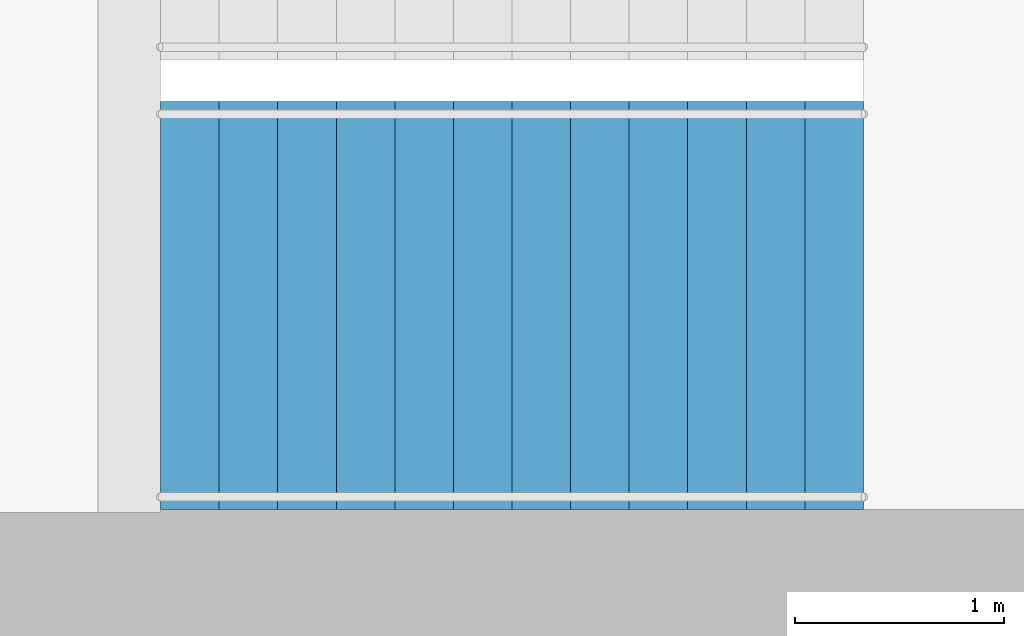
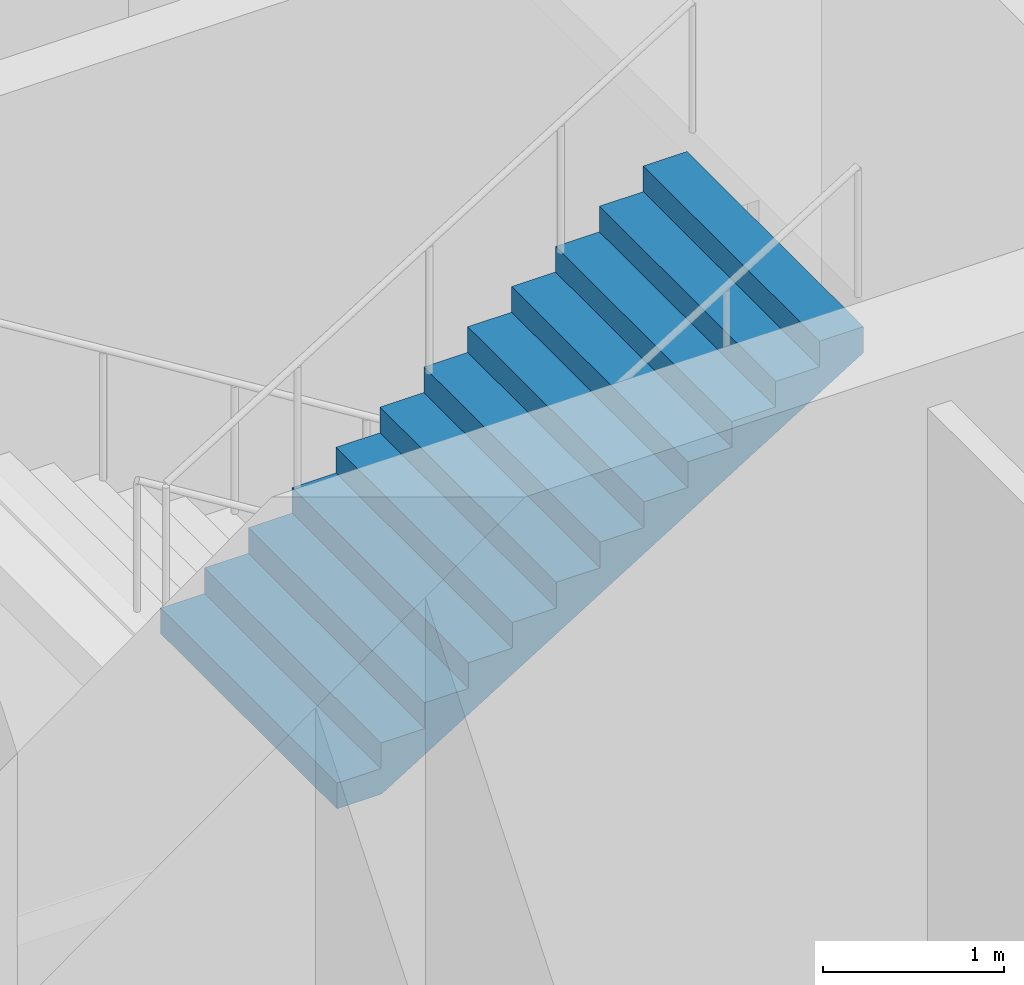
# One storey, part 19 of 21: 1 stair flight, 1 element without a shape of its own.
"""IFC4 building model written with IfcOpenShell, lengths in metres."""

from ifc_helpers import new_model, si_unit, direction, frame, origin, place, context, subcontext, project, spatial, triangles, material, type_object, element, aggregate, save


model = new_model("IFC4")

# Units and contexts
model_context = context("Model", 3, precision=1e-05, world=origin(), true_north=direction((0.0, 1.0)))
body_context = subcontext(model_context, "Body", "Model", "MODEL_VIEW")
ifc_project = project(units=[si_unit("LENGTHUNIT", "METRE"), si_unit("AREAUNIT", "SQUARE_METRE"), si_unit("VOLUMEUNIT", "CUBIC_METRE"), si_unit("PLANEANGLEUNIT", "RADIAN"), si_unit("MASSUNIT", "GRAM", prefix="KILO")], contexts=[model_context])

# Site, building, storey
site_placement = place(None, origin())
site = spatial("IfcSite", under=ifc_project, at=site_placement, CompositionType="ELEMENT")
building_placement = place(site_placement, origin())
building = spatial("IfcBuilding", under=site, at=building_placement, Name="Orbita Commons", CompositionType="ELEMENT")
storey_placement = place(building_placement, frame((0.0, 0.0, 257.800048828125)))
storey = spatial("IfcBuildingStorey", under=building, at=storey_placement, Name="L64", CompositionType="ELEMENT", Elevation=257.800048828125)

# Stair, stair flight
ifc_material_1 = material(Name="Precast concrete C40/50", Category="concrete")
stair_type = type_object("IfcStairType", Name="Exit stair S2 2 flights 13 risers 173", PredefinedType="HALF_TURN_STAIR", material=ifc_material_1)
stair_placement = place(storey_placement, origin())
stair = element("IfcStair", 1, at=stair_placement, inside=storey, type_object=stair_type, Name="Exit stair S2 L64", PredefinedType="HALF_TURN_STAIR")
ifc_material_2 = material(Name="Precast concrete C40/50", Category="concrete")
stair_flight_type = type_object("IfcStairFlightType", Name="Stair flight 13 risers 173 x 280", PredefinedType="STRAIGHT", material=ifc_material_2)
stair_flight_placement = place(storey_placement, frame((60.18994140625, 27.125, 2.25), z_axis=(0.0, 0.0, 1.0), x_axis=(1.0, 0.0, 0.0)))
stair_flight = element("IfcStairFlight", 2, at=stair_flight_placement, type_object=stair_flight_type, Name="S2 flight 2", NumberOfRisers=13, NumberOfTreads=12, PredefinedType="STRAIGHT", RiserHeight=0.173076923, TreadLength=0.28, context=body_context, shape_type="Tessellation", body=[
    triangles([(0.0, 0.974976, 0.0), (0.0, 0.974976, 0.021635), (0.0, 0.81248, 0.021635), (0.0, 0.81248, 0.0), (0.0, 0.649984, 0.021635), (0.0, 0.649984, 0.0), (0.0, 0.487488, 0.021635), (0.0, 0.487488, 0.0), (0.0, 0.324992, 0.021635), (0.0, 0.324992, 0.0), (0.0, 0.162496, 0.021635), (0.0, 0.162496, 0.0), (0.0, 0.0, 0.021635), (0.0, 0.0, 0.0), (0.0, -0.162496, 0.021635), (0.0, -0.162496, 0.0), (0.0, -0.324992, 0.021635), (0.0, -0.324992, 0.0), (0.0, -0.487488, 0.021635), (0.0, -0.487488, 0.0), (0.0, -0.649984, 0.021635), (0.0, -0.649984, 0.0), (0.0, -0.81248, 0.021635), (0.0, -0.81248, 0.0), (0.0, -0.974976, 0.021635), (0.0, -0.974976, 0.0), (0.0, 0.974976, 0.043269), (0.0, 0.81248, 0.043269), (0.0, 0.649984, 0.043269), (0.0, 0.487488, 0.043269), (0.0, 0.324992, 0.043269), (0.0, 0.162496, 0.043269), (0.0, 0.0, 0.043269), (0.0, -0.162496, 0.043269), (0.0, -0.324992, 0.043269), (0.0, -0.487488, 0.043269), (0.0, -0.649984, 0.043269), (0.0, -0.81248, 0.043269), (0.0, -0.974976, 0.043269), (0.0, 0.974976, 0.064904), (0.0, 0.81248, 0.064904), (0.0, 0.649984, 0.064904), (0.0, 0.487488, 0.064904), (0.0, 0.324992, 0.064904), (0.0, 0.162496, 0.064904), (0.0, 0.0, 0.064904), (0.0, -0.162496, 0.064904), (0.0, -0.324992, 0.064904), (0.0, -0.487488, 0.064904), (0.0, -0.649984, 0.064904), (0.0, -0.81248, 0.064904), (0.0, -0.974976, 0.064904), (0.0, 0.974976, 0.086538), (0.0, 0.81248, 0.086538), (0.0, 0.649984, 0.086538), (0.0, 0.487488, 0.086538), (0.0, 0.324992, 0.086538), (0.0, 0.162496, 0.086538), (0.0, 0.0, 0.086538), (0.0, -0.162496, 0.086538), (0.0, -0.324992, 0.086538), (0.0, -0.487488, 0.086538), (0.0, -0.649984, 0.086538), (0.0, -0.81248, 0.086538), (0.0, -0.974976, 0.086538), (0.0, 0.974976, 0.108173), (0.0, 0.81248, 0.108173), (0.0, 0.649984, 0.108173), (0.0, 0.487488, 0.108173), (0.0, 0.324992, 0.108173), (0.0, 0.162496, 0.108173), (0.0, 0.0, 0.108173), (0.0, -0.162496, 0.108173), (0.0, -0.324992, 0.108173), (0.0, -0.487488, 0.108173), (0.0, -0.649984, 0.108173), (0.0, -0.81248, 0.108173), (0.0, -0.974976, 0.108173), (0.0, 0.974976, 0.129808), (0.0, 0.81248, 0.129808), (0.0, 0.649984, 0.129808), (0.0, 0.487488, 0.129808), (0.0, 0.324992, 0.129808), (0.0, 0.162496, 0.129808), (0.0, 0.0, 0.129808), (0.0, -0.162496, 0.129808), (0.0, -0.324992, 0.129808), (0.0, -0.487488, 0.129808), (0.0, -0.649984, 0.129808), (0.0, -0.81248, 0.129808), (0.0, -0.974976, 0.129808), (0.0, 0.974976, 0.151442), (0.0, 0.81248, 0.151442), (0.0, 0.649984, 0.151442), (0.0, 0.487488, 0.151442), (0.0, 0.324992, 0.151442), (0.0, 0.162496, 0.151442), (0.0, 0.0, 0.151442), (0.0, -0.162496, 0.151442), (0.0, -0.324992, 0.151442), (0.0, -0.487488, 0.151442), (0.0, -0.649984, 0.151442), (0.0, -0.81248, 0.151442), (0.0, -0.974976, 0.151442), (0.0, 0.974976, 0.173077), (0.0, 0.81248, 0.173077), (0.0, 0.649984, 0.173077), (0.0, 0.487488, 0.173077), (0.0, 0.324992, 0.173077), (0.0, 0.162496, 0.173077), (0.0, 0.0, 0.173077), (0.0, -0.162496, 0.173077), (0.0, -0.324992, 0.173077), (0.0, -0.487488, 0.173077), (0.0, -0.649984, 0.173077), (0.0, -0.81248, 0.173077), (0.0, -0.974976, 0.173077), (0.28, 0.974976, 0.173077), (0.28, 0.81248, 0.173077), (0.28, 0.649984, 0.173077), (0.28, 0.487488, 0.173077), (0.28, 0.324992, 0.173077), (0.28, 0.162496, 0.173077), (0.28, 0.0, 0.173077), (0.28, -0.162496, 0.173077), (0.28, -0.324992, 0.173077), (0.28, -0.487488, 0.173077), (0.28, -0.649984, 0.173077), (0.28, -0.81248, 0.173077), (0.28, -0.974976, 0.173077), (0.28, 0.974976, 0.346154), (0.28, 0.81248, 0.346154), (0.28, 0.649984, 0.346154), (0.28, 0.487488, 0.346154), (0.28, 0.324992, 0.346154), (0.28, 0.162496, 0.346154), (0.28, 0.0, 0.346154), (0.28, -0.162496, 0.346154), (0.28, -0.324992, 0.346154), (0.28, -0.487488, 0.346154), (0.28, -0.649984, 0.346154), (0.28, -0.81248, 0.346154), (0.28, -0.974976, 0.346154), (0.56, 0.974976, 0.346154), (0.56, 0.81248, 0.346154), (0.56, 0.649984, 0.346154), (0.56, 0.487488, 0.346154), (0.56, 0.324992, 0.346154), (0.56, 0.162496, 0.346154), (0.56, 0.0, 0.346154), (0.56, -0.162496, 0.346154), (0.56, -0.324992, 0.346154), (0.56, -0.487488, 0.346154), (0.56, -0.649984, 0.346154), (0.56, -0.81248, 0.346154), (0.56, -0.974976, 0.346154), (0.56, 0.974976, 0.519231), (0.56, 0.81248, 0.519231), (0.56, 0.649984, 0.519231), (0.56, 0.487488, 0.519231), (0.56, 0.324992, 0.519231), (0.56, 0.162496, 0.519231), (0.56, 0.0, 0.519231), (0.56, -0.162496, 0.519231), (0.56, -0.324992, 0.519231), (0.56, -0.487488, 0.519231), (0.56, -0.649984, 0.519231), (0.56, -0.81248, 0.519231), (0.56, -0.974976, 0.519231), (0.84, 0.974976, 0.519231), (0.84, 0.81248, 0.519231), (0.84, 0.649984, 0.519231), (0.84, 0.487488, 0.519231), (0.84, 0.324992, 0.519231), (0.84, 0.162496, 0.519231), (0.84, 0.0, 0.519231), (0.84, -0.162496, 0.519231), (0.84, -0.324992, 0.519231), (0.84, -0.487488, 0.519231), (0.84, -0.649984, 0.519231), (0.84, -0.81248, 0.519231), (0.84, -0.974976, 0.519231), (0.84, 0.974976, 0.692308), (0.84, 0.81248, 0.692308), (0.84, 0.649984, 0.692308), (0.84, 0.487488, 0.692308), (0.84, 0.324992, 0.692308), (0.84, 0.162496, 0.692308), (0.84, 0.0, 0.692308), (0.84, -0.162496, 0.692308), (0.84, -0.324992, 0.692308), (0.84, -0.487488, 0.692308), (0.84, -0.649984, 0.692308), (0.84, -0.81248, 0.692308), (0.84, -0.974976, 0.692308), (1.12, 0.974976, 0.692308), (1.12, 0.81248, 0.692308), (1.12, 0.649984, 0.692308), (1.12, 0.487488, 0.692308), (1.12, 0.324992, 0.692308), (1.12, 0.162496, 0.692308), (1.12, 0.0, 0.692308), (1.12, -0.162496, 0.692308), (1.12, -0.324992, 0.692308), (1.12, -0.487488, 0.692308), (1.12, -0.649984, 0.692308), (1.12, -0.81248, 0.692308), (1.12, -0.974976, 0.692308), (1.12, 0.974976, 0.865385), (1.12, 0.81248, 0.865385), (1.12, 0.649984, 0.865385), (1.12, 0.487488, 0.865385), (1.12, 0.324992, 0.865385), (1.12, 0.162496, 0.865385), (1.12, 0.0, 0.865385), (1.12, -0.162496, 0.865385), (1.12, -0.324992, 0.865385), (1.12, -0.487488, 0.865385), (1.12, -0.649984, 0.865385), (1.12, -0.81248, 0.865385), (1.12, -0.974976, 0.865385), (1.4, 0.974976, 0.865385), (1.4, 0.81248, 0.865385), (1.4, 0.649984, 0.865385), (1.4, 0.487488, 0.865385), (1.4, 0.324992, 0.865385), (1.4, 0.162496, 0.865385), (1.4, 0.0, 0.865385), (1.4, -0.162496, 0.865385), (1.4, -0.324992, 0.865385), (1.4, -0.487488, 0.865385), (1.4, -0.649984, 0.865385), (1.4, -0.81248, 0.865385), (1.4, -0.974976, 0.865385), (1.4, 0.974976, 1.038462), (1.4, 0.81248, 1.038462), (1.4, 0.649984, 1.038462), (1.4, 0.487488, 1.038462), (1.4, 0.324992, 1.038462), (1.4, 0.162496, 1.038462), (1.4, 0.0, 1.038462), (1.4, -0.162496, 1.038462), (1.4, -0.324992, 1.038462), (1.4, -0.487488, 1.038462), (1.4, -0.649984, 1.038462), (1.4, -0.81248, 1.038462), (1.4, -0.974976, 1.038462), (1.68, 0.974976, 1.038462), (1.68, 0.81248, 1.038462), (1.68, 0.649984, 1.038462), (1.68, 0.487488, 1.038462), (1.68, 0.324992, 1.038462), (1.68, 0.162496, 1.038462), (1.68, 0.0, 1.038462), (1.68, -0.162496, 1.038462), (1.68, -0.324992, 1.038462), (1.68, -0.487488, 1.038462), (1.68, -0.649984, 1.038462), (1.68, -0.81248, 1.038462), (1.68, -0.974976, 1.038462), (1.68, 0.974976, 1.211538), (1.68, 0.81248, 1.211538), (1.68, 0.649984, 1.211538), (1.68, 0.487488, 1.211538), (1.68, 0.324992, 1.211538), (1.68, 0.162496, 1.211538), (1.68, 0.0, 1.211538), (1.68, -0.162496, 1.211538), (1.68, -0.324992, 1.211538), (1.68, -0.487488, 1.211538), (1.68, -0.649984, 1.211538), (1.68, -0.81248, 1.211538), (1.68, -0.974976, 1.211538), (1.96, 0.974976, 1.211538), (1.96, 0.81248, 1.211538), (1.96, 0.649984, 1.211538), (1.96, 0.487488, 1.211538), (1.96, 0.324992, 1.211538), (1.96, 0.162496, 1.211538), (1.96, 0.0, 1.211538), (1.96, -0.162496, 1.211538), (1.96, -0.324992, 1.211538), (1.96, -0.487488, 1.211538), (1.96, -0.649984, 1.211538), (1.96, -0.81248, 1.211538), (1.96, -0.974976, 1.211538), (1.96, 0.974976, 1.384615), (1.96, 0.81248, 1.384615), (1.96, 0.649984, 1.384615), (1.96, 0.487488, 1.384615), (1.96, 0.324992, 1.384615), (1.96, 0.162496, 1.384615), (1.96, 0.0, 1.384615), (1.96, -0.162496, 1.384615), (1.96, -0.324992, 1.384615), (1.96, -0.487488, 1.384615), (1.96, -0.649984, 1.384615), (1.96, -0.81248, 1.384615), (1.96, -0.974976, 1.384615), (2.24, 0.974976, 1.384615), (2.24, 0.81248, 1.384615), (2.24, 0.649984, 1.384615), (2.24, 0.487488, 1.384615), (2.24, 0.324992, 1.384615), (2.24, 0.162496, 1.384615), (2.24, 0.0, 1.384615), (2.24, -0.162496, 1.384615), (2.24, -0.324992, 1.384615), (2.24, -0.487488, 1.384615), (2.24, -0.649984, 1.384615), (2.24, -0.81248, 1.384615), (2.24, -0.974976, 1.384615), (2.24, 0.974976, 1.557692), (2.24, 0.81248, 1.557692), (2.24, 0.649984, 1.557692), (2.24, 0.487488, 1.557692), (2.24, 0.324992, 1.557692), (2.24, 0.162496, 1.557692), (2.24, 0.0, 1.557692), (2.24, -0.162496, 1.557692), (2.24, -0.324992, 1.557692), (2.24, -0.487488, 1.557692), (2.24, -0.649984, 1.557692), (2.24, -0.81248, 1.557692), (2.24, -0.974976, 1.557692), (2.52, 0.974976, 1.557692), (2.52, 0.81248, 1.557692), (2.52, 0.649984, 1.557692), (2.52, 0.487488, 1.557692), (2.52, 0.324992, 1.557692), (2.52, 0.162496, 1.557692), (2.52, 0.0, 1.557692), (2.52, -0.162496, 1.557692), (2.52, -0.324992, 1.557692), (2.52, -0.487488, 1.557692), (2.52, -0.649984, 1.557692), (2.52, -0.81248, 1.557692), (2.52, -0.974976, 1.557692), (2.52, 0.974976, 1.730769), (2.52, 0.81248, 1.730769), (2.52, 0.649984, 1.730769), (2.52, 0.487488, 1.730769), (2.52, 0.324992, 1.730769), (2.52, 0.162496, 1.730769), (2.52, 0.0, 1.730769), (2.52, -0.162496, 1.730769), (2.52, -0.324992, 1.730769), (2.52, -0.487488, 1.730769), (2.52, -0.649984, 1.730769), (2.52, -0.81248, 1.730769), (2.52, -0.974976, 1.730769), (2.8, 0.974976, 1.730769), (2.8, 0.81248, 1.730769), (2.8, 0.649984, 1.730769), (2.8, 0.487488, 1.730769), (2.8, 0.324992, 1.730769), (2.8, 0.162496, 1.730769), (2.8, 0.0, 1.730769), (2.8, -0.162496, 1.730769), (2.8, -0.324992, 1.730769), (2.8, -0.487488, 1.730769), (2.8, -0.649984, 1.730769), (2.8, -0.81248, 1.730769), (2.8, -0.974976, 1.730769), (2.8, 0.974976, 1.903846), (2.8, 0.81248, 1.903846), (2.8, 0.649984, 1.903846), (2.8, 0.487488, 1.903846), (2.8, 0.324992, 1.903846), (2.8, 0.162496, 1.903846), (2.8, 0.0, 1.903846), (2.8, -0.162496, 1.903846), (2.8, -0.324992, 1.903846), (2.8, -0.487488, 1.903846), (2.8, -0.649984, 1.903846), (2.8, -0.81248, 1.903846), (2.8, -0.974976, 1.903846), (3.08, 0.974976, 1.903846), (3.08, 0.81248, 1.903846), (3.08, 0.649984, 1.903846), (3.08, 0.487488, 1.903846), (3.08, 0.324992, 1.903846), (3.08, 0.162496, 1.903846), (3.08, 0.0, 1.903846), (3.08, -0.162496, 1.903846), (3.08, -0.324992, 1.903846), (3.08, -0.487488, 1.903846), (3.08, -0.649984, 1.903846), (3.08, -0.81248, 1.903846), (3.08, -0.974976, 1.903846), (3.08, 0.974976, 2.076923), (3.08, 0.81248, 2.076923), (3.08, 0.649984, 2.076923), (3.08, 0.487488, 2.076923), (3.08, 0.324992, 2.076923), (3.08, 0.162496, 2.076923), (3.08, 0.0, 2.076923), (3.08, -0.162496, 2.076923), (3.08, -0.324992, 2.076923), (3.08, -0.487488, 2.076923), (3.08, -0.649984, 2.076923), (3.08, -0.81248, 2.076923), (3.08, -0.974976, 2.076923), (3.36, 0.974976, 2.076923), (3.36, 0.81248, 2.076923), (3.36, 0.649984, 2.076923), (3.36, 0.487488, 2.076923), (3.36, 0.324992, 2.076923), (3.36, 0.162496, 2.076923), (3.36, 0.0, 2.076923), (3.36, -0.162496, 2.076923), (3.36, -0.324992, 2.076923), (3.36, -0.487488, 2.076923), (3.36, -0.649984, 2.076923), (3.36, -0.81248, 2.076923), (3.36, -0.974976, 2.076923), (3.36, 0.974976, 2.054895), (3.36, 0.81248, 2.054895), (3.36, 0.649984, 2.054895), (3.36, 0.487488, 2.054895), (3.36, 0.324992, 2.054895), (3.36, 0.162496, 2.054895), (3.36, 0.0, 2.054895), (3.36, -0.162496, 2.054895), (3.36, -0.324992, 2.054895), (3.36, -0.487488, 2.054895), (3.36, -0.649984, 2.054895), (3.36, -0.81248, 2.054895), (3.36, -0.974976, 2.054895), (3.36, 0.974976, 2.032866), (3.36, 0.81248, 2.032866), (3.36, 0.649984, 2.032866), (3.36, 0.487488, 2.032866), (3.36, 0.324992, 2.032866), (3.36, 0.162496, 2.032866), (3.36, 0.0, 2.032866), (3.36, -0.162496, 2.032866), (3.36, -0.324992, 2.032866), (3.36, -0.487488, 2.032866), (3.36, -0.649984, 2.032866), (3.36, -0.81248, 2.032866), (3.36, -0.974976, 2.032866), (3.36, 0.974976, 2.010837), (3.36, 0.81248, 2.010837), (3.36, 0.649984, 2.010837), (3.36, 0.487488, 2.010837), (3.36, 0.324992, 2.010837), (3.36, 0.162496, 2.010837), (3.36, 0.0, 2.010837), (3.36, -0.162496, 2.010837), (3.36, -0.324992, 2.010837), (3.36, -0.487488, 2.010837), (3.36, -0.649984, 2.010837), (3.36, -0.81248, 2.010837), (3.36, -0.974976, 2.010837), (3.36, 0.974976, 1.988809), (3.36, 0.81248, 1.988809), (3.36, 0.649984, 1.988809), (3.36, 0.487488, 1.988809), (3.36, 0.324992, 1.988809), (3.36, 0.162496, 1.988809), (3.36, 0.0, 1.988809), (3.36, -0.162496, 1.988809), (3.36, -0.324992, 1.988809), (3.36, -0.487488, 1.988809), (3.36, -0.649984, 1.988809), (3.36, -0.81248, 1.988809), (3.36, -0.974976, 1.988809), (3.36, 0.974976, 1.96678), (3.36, 0.81248, 1.96678), (3.36, 0.649984, 1.96678), (3.36, 0.487488, 1.96678), (3.36, 0.324992, 1.96678), (3.36, 0.162496, 1.96678), (3.36, 0.0, 1.96678), (3.36, -0.162496, 1.96678), (3.36, -0.324992, 1.96678), (3.36, -0.487488, 1.96678), (3.36, -0.649984, 1.96678), (3.36, -0.81248, 1.96678), (3.36, -0.974976, 1.96678), (3.36, 0.974976, 1.944752), (3.36, 0.81248, 1.944752), (3.36, 0.649984, 1.944752), (3.36, 0.487488, 1.944752), (3.36, 0.324992, 1.944752), (3.36, 0.162496, 1.944752), (3.36, 0.0, 1.944752), (3.36, -0.162496, 1.944752), (3.36, -0.324992, 1.944752), (3.36, -0.487488, 1.944752), (3.36, -0.649984, 1.944752), (3.36, -0.81248, 1.944752), (3.36, -0.974976, 1.944752), (3.36, 0.974976, 1.922723), (3.36, 0.81248, 1.922723), (3.36, 0.649984, 1.922723), (3.36, 0.487488, 1.922723), (3.36, 0.324992, 1.922723), (3.36, 0.162496, 1.922723), (3.36, 0.0, 1.922723), (3.36, -0.162496, 1.922723), (3.36, -0.324992, 1.922723), (3.36, -0.487488, 1.922723), (3.36, -0.649984, 1.922723), (3.36, -0.81248, 1.922723), (3.36, -0.974976, 1.922723), (3.36, 0.974976, 1.900695), (3.36, 0.81248, 1.900695), (3.36, 0.649984, 1.900695), (3.36, 0.487488, 1.900695), (3.36, 0.324992, 1.900695), (3.36, 0.162496, 1.900695), (3.36, 0.0, 1.900695), (3.36, -0.162496, 1.900695), (3.36, -0.324992, 1.900695), (3.36, -0.487488, 1.900695), (3.36, -0.649984, 1.900695), (3.36, -0.81248, 1.900695), (3.36, -0.974976, 1.900695), (0.285099, 0.974976, 0.0), (0.285099, 0.81248, 0.0), (0.285099, 0.649984, 0.0), (0.285099, 0.487488, 0.0), (0.285099, 0.324992, 0.0), (0.285099, 0.162496, 0.0), (0.285099, 0.0, 0.0), (0.285099, -0.162496, 0.0), (0.285099, -0.324992, 0.0), (0.285099, -0.487488, 0.0), (0.285099, -0.649984, 0.0), (0.285099, -0.81248, 0.0), (0.285099, -0.974976, 0.0)], [[3, 2, 1], [4, 3, 1], [5, 3, 4], [6, 5, 4], [7, 5, 6], [8, 7, 6], [9, 7, 8], [10, 9, 8], [11, 9, 10], [12, 11, 10], [13, 11, 12], [14, 13, 12], [15, 13, 14], [16, 15, 14], [17, 15, 16], [18, 17, 16], [19, 17, 18], [20, 19, 18], [21, 19, 20], [22, 21, 20], [23, 21, 22], [24, 23, 22], [25, 23, 24], [26, 25, 24], [28, 27, 2], [3, 28, 2], [29, 28, 3], [5, 29, 3], [30, 29, 5], [7, 30, 5], [31, 30, 7], [9, 31, 7], [32, 31, 9], [11, 32, 9], [33, 32, 11], [13, 33, 11], [34, 33, 13], [15, 34, 13], [35, 34, 15], [17, 35, 15], [36, 35, 17], [19, 36, 17], [37, 36, 19], [21, 37, 19], [38, 37, 21], [23, 38, 21], [39, 38, 23], [25, 39, 23], [41, 40, 27], [28, 41, 27], [42, 41, 28], [29, 42, 28], [43, 42, 29], [30, 43, 29], [44, 43, 30], [31, 44, 30], [45, 44, 31], [32, 45, 31], [46, 45, 32], [33, 46, 32], [47, 46, 33], [34, 47, 33], [48, 47, 34], [35, 48, 34], [49, 48, 35], [36, 49, 35], [50, 49, 36], [37, 50, 36], [51, 50, 37], [38, 51, 37], [52, 51, 38], [39, 52, 38], [54, 53, 40], [41, 54, 40], [55, 54, 41], [42, 55, 41], [56, 55, 42], [43, 56, 42], [57, 56, 43], [44, 57, 43], [58, 57, 44], [45, 58, 44], [59, 58, 45], [46, 59, 45], [60, 59, 46], [47, 60, 46], [61, 60, 47], [48, 61, 47], [62, 61, 48], [49, 62, 48], [63, 62, 49], [50, 63, 49], [64, 63, 50], [51, 64, 50], [65, 64, 51], [52, 65, 51], [67, 66, 53], [54, 67, 53], [68, 67, 54], [55, 68, 54], [69, 68, 55], [56, 69, 55], [70, 69, 56], [57, 70, 56], [71, 70, 57], [58, 71, 57], [72, 71, 58], [59, 72, 58], [73, 72, 59], [60, 73, 59], [74, 73, 60], [61, 74, 60], [75, 74, 61], [62, 75, 61], [76, 75, 62], [63, 76, 62], [77, 76, 63], [64, 77, 63], [78, 77, 64], [65, 78, 64], [80, 79, 66], [67, 80, 66], [81, 80, 67], [68, 81, 67], [82, 81, 68], [69, 82, 68], [83, 82, 69], [70, 83, 69], [84, 83, 70], [71, 84, 70], [85, 84, 71], [72, 85, 71], [86, 85, 72], [73, 86, 72], [87, 86, 73], [74, 87, 73], [88, 87, 74], [75, 88, 74], [89, 88, 75], [76, 89, 75], [90, 89, 76], [77, 90, 76], [91, 90, 77], [78, 91, 77], [93, 92, 79], [80, 93, 79], [94, 93, 80], [81, 94, 80], [95, 94, 81], [82, 95, 81], [96, 95, 82], [83, 96, 82], [97, 96, 83], [84, 97, 83], [98, 97, 84], [85, 98, 84], [99, 98, 85], [86, 99, 85], [100, 99, 86], [87, 100, 86], [101, 100, 87], [88, 101, 87], [102, 101, 88], [89, 102, 88], [103, 102, 89], [90, 103, 89], [104, 103, 90], [91, 104, 90], [106, 105, 92], [93, 106, 92], [107, 106, 93], [94, 107, 93], [108, 107, 94], [95, 108, 94], [109, 108, 95], [96, 109, 95], [110, 109, 96], [97, 110, 96], [111, 110, 97], [98, 111, 97], [112, 111, 98], [99, 112, 98], [113, 112, 99], [100, 113, 99], [114, 113, 100], [101, 114, 100], [115, 114, 101], [102, 115, 101], [116, 115, 102], [103, 116, 102], [117, 116, 103], [104, 117, 103], [119, 118, 105], [106, 119, 105], [120, 119, 106], [107, 120, 106], [121, 120, 107], [108, 121, 107], [122, 121, 108], [109, 122, 108], [123, 122, 109], [110, 123, 109], [124, 123, 110], [111, 124, 110], [125, 124, 111], [112, 125, 111], [126, 125, 112], [113, 126, 112], [127, 126, 113], [114, 127, 113], [128, 127, 114], [115, 128, 114], [129, 128, 115], [116, 129, 115], [130, 129, 116], [117, 130, 116], [132, 131, 118], [119, 132, 118], [133, 132, 119], [120, 133, 119], [134, 133, 120], [121, 134, 120], [135, 134, 121], [122, 135, 121], [136, 135, 122], [123, 136, 122], [137, 136, 123], [124, 137, 123], [138, 137, 124], [125, 138, 124], [139, 138, 125], [126, 139, 125], [140, 139, 126], [127, 140, 126], [141, 140, 127], [128, 141, 127], [142, 141, 128], [129, 142, 128], [143, 142, 129], [130, 143, 129], [145, 144, 131], [132, 145, 131], [146, 145, 132], [133, 146, 132], [147, 146, 133], [134, 147, 133], [148, 147, 134], [135, 148, 134], [149, 148, 135], [136, 149, 135], [150, 149, 136], [137, 150, 136], [151, 150, 137], [138, 151, 137], [152, 151, 138], [139, 152, 138], [153, 152, 139], [140, 153, 139], [154, 153, 140], [141, 154, 140], [155, 154, 141], [142, 155, 141], [156, 155, 142], [143, 156, 142], [158, 157, 144], [145, 158, 144], [159, 158, 145], [146, 159, 145], [160, 159, 146], [147, 160, 146], [161, 160, 147], [148, 161, 147], [162, 161, 148], [149, 162, 148], [163, 162, 149], [150, 163, 149], [164, 163, 150], [151, 164, 150], [165, 164, 151], [152, 165, 151], [166, 165, 152], [153, 166, 152], [167, 166, 153], [154, 167, 153], [168, 167, 154], [155, 168, 154], [169, 168, 155], [156, 169, 155], [171, 170, 157], [158, 171, 157], [172, 171, 158], [159, 172, 158], [173, 172, 159], [160, 173, 159], [174, 173, 160], [161, 174, 160], [175, 174, 161], [162, 175, 161], [176, 175, 162], [163, 176, 162], [177, 176, 163], [164, 177, 163], [178, 177, 164], [165, 178, 164], [179, 178, 165], [166, 179, 165], [180, 179, 166], [167, 180, 166], [181, 180, 167], [168, 181, 167], [182, 181, 168], [169, 182, 168], [184, 183, 170], [171, 184, 170], [185, 184, 171], [172, 185, 171], [186, 185, 172], [173, 186, 172], [187, 186, 173], [174, 187, 173], [188, 187, 174], [175, 188, 174], [189, 188, 175], [176, 189, 175], [190, 189, 176], [177, 190, 176], [191, 190, 177], [178, 191, 177], [192, 191, 178], [179, 192, 178], [193, 192, 179], [180, 193, 179], [194, 193, 180], [181, 194, 180], [195, 194, 181], [182, 195, 181], [197, 196, 183], [184, 197, 183], [198, 197, 184], [185, 198, 184], [199, 198, 185], [186, 199, 185], [200, 199, 186], [187, 200, 186], [201, 200, 187], [188, 201, 187], [202, 201, 188], [189, 202, 188], [203, 202, 189], [190, 203, 189], [204, 203, 190], [191, 204, 190], [205, 204, 191], [192, 205, 191], [206, 205, 192], [193, 206, 192], [207, 206, 193], [194, 207, 193], [208, 207, 194], [195, 208, 194], [210, 209, 196], [197, 210, 196], [211, 210, 197], [198, 211, 197], [212, 211, 198], [199, 212, 198], [213, 212, 199], [200, 213, 199], [214, 213, 200], [201, 214, 200], [215, 214, 201], [202, 215, 201], [216, 215, 202], [203, 216, 202], [217, 216, 203], [204, 217, 203], [218, 217, 204], [205, 218, 204], [219, 218, 205], [206, 219, 205], [220, 219, 206], [207, 220, 206], [221, 220, 207], [208, 221, 207], [223, 222, 209], [210, 223, 209], [224, 223, 210], [211, 224, 210], [225, 224, 211], [212, 225, 211], [226, 225, 212], [213, 226, 212], [227, 226, 213], [214, 227, 213], [228, 227, 214], [215, 228, 214], [229, 228, 215], [216, 229, 215], [230, 229, 216], [217, 230, 216], [231, 230, 217], [218, 231, 217], [232, 231, 218], [219, 232, 218], [233, 232, 219], [220, 233, 219], [234, 233, 220], [221, 234, 220], [236, 235, 222], [223, 236, 222], [237, 236, 223], [224, 237, 223], [238, 237, 224], [225, 238, 224], [239, 238, 225], [226, 239, 225], [240, 239, 226], [227, 240, 226], [241, 240, 227], [228, 241, 227], [242, 241, 228], [229, 242, 228], [243, 242, 229], [230, 243, 229], [244, 243, 230], [231, 244, 230], [245, 244, 231], [232, 245, 231], [246, 245, 232], [233, 246, 232], [247, 246, 233], [234, 247, 233], [249, 248, 235], [236, 249, 235], [250, 249, 236], [237, 250, 236], [251, 250, 237], [238, 251, 237], [252, 251, 238], [239, 252, 238], [253, 252, 239], [240, 253, 239], [254, 253, 240], [241, 254, 240], [255, 254, 241], [242, 255, 241], [256, 255, 242], [243, 256, 242], [257, 256, 243], [244, 257, 243], [258, 257, 244], [245, 258, 244], [259, 258, 245], [246, 259, 245], [260, 259, 246], [247, 260, 246], [262, 261, 248], [249, 262, 248], [263, 262, 249], [250, 263, 249], [264, 263, 250], [251, 264, 250], [265, 264, 251], [252, 265, 251], [266, 265, 252], [253, 266, 252], [267, 266, 253], [254, 267, 253], [268, 267, 254], [255, 268, 254], [269, 268, 255], [256, 269, 255], [270, 269, 256], [257, 270, 256], [271, 270, 257], [258, 271, 257], [272, 271, 258], [259, 272, 258], [273, 272, 259], [260, 273, 259], [275, 274, 261], [262, 275, 261], [276, 275, 262], [263, 276, 262], [277, 276, 263], [264, 277, 263], [278, 277, 264], [265, 278, 264], [279, 278, 265], [266, 279, 265], [280, 279, 266], [267, 280, 266], [281, 280, 267], [268, 281, 267], [282, 281, 268], [269, 282, 268], [283, 282, 269], [270, 283, 269], [284, 283, 270], [271, 284, 270], [285, 284, 271], [272, 285, 271], [286, 285, 272], [273, 286, 272], [288, 287, 274], [275, 288, 274], [289, 288, 275], [276, 289, 275], [290, 289, 276], [277, 290, 276], [291, 290, 277], [278, 291, 277], [292, 291, 278], [279, 292, 278], [293, 292, 279], [280, 293, 279], [294, 293, 280], [281, 294, 280], [295, 294, 281], [282, 295, 281], [296, 295, 282], [283, 296, 282], [297, 296, 283], [284, 297, 283], [298, 297, 284], [285, 298, 284], [299, 298, 285], [286, 299, 285], [301, 300, 287], [288, 301, 287], [302, 301, 288], [289, 302, 288], [303, 302, 289], [290, 303, 289], [304, 303, 290], [291, 304, 290], [305, 304, 291], [292, 305, 291], [306, 305, 292], [293, 306, 292], [307, 306, 293], [294, 307, 293], [308, 307, 294], [295, 308, 294], [309, 308, 295], [296, 309, 295], [310, 309, 296], [297, 310, 296], [311, 310, 297], [298, 311, 297], [312, 311, 298], [299, 312, 298], [314, 313, 300], [301, 314, 300], [315, 314, 301], [302, 315, 301], [316, 315, 302], [303, 316, 302], [317, 316, 303], [304, 317, 303], [318, 317, 304], [305, 318, 304], [319, 318, 305], [306, 319, 305], [320, 319, 306], [307, 320, 306], [321, 320, 307], [308, 321, 307], [322, 321, 308], [309, 322, 308], [323, 322, 309], [310, 323, 309], [324, 323, 310], [311, 324, 310], [325, 324, 311], [312, 325, 311], [327, 326, 313], [314, 327, 313], [328, 327, 314], [315, 328, 314], [329, 328, 315], [316, 329, 315], [330, 329, 316], [317, 330, 316], [331, 330, 317], [318, 331, 317], [332, 331, 318], [319, 332, 318], [333, 332, 319], [320, 333, 319], [334, 333, 320], [321, 334, 320], [335, 334, 321], [322, 335, 321], [336, 335, 322], [323, 336, 322], [337, 336, 323], [324, 337, 323], [338, 337, 324], [325, 338, 324], [340, 339, 326], [327, 340, 326], [341, 340, 327], [328, 341, 327], [342, 341, 328], [329, 342, 328], [343, 342, 329], [330, 343, 329], [344, 343, 330], [331, 344, 330], [345, 344, 331], [332, 345, 331], [346, 345, 332], [333, 346, 332], [347, 346, 333], [334, 347, 333], [348, 347, 334], [335, 348, 334], [349, 348, 335], [336, 349, 335], [350, 349, 336], [337, 350, 336], [351, 350, 337], [338, 351, 337], [353, 352, 339], [340, 353, 339], [354, 353, 340], [341, 354, 340], [355, 354, 341], [342, 355, 341], [356, 355, 342], [343, 356, 342], [357, 356, 343], [344, 357, 343], [358, 357, 344], [345, 358, 344], [359, 358, 345], [346, 359, 345], [360, 359, 346], [347, 360, 346], [361, 360, 347], [348, 361, 347], [362, 361, 348], [349, 362, 348], [363, 362, 349], [350, 363, 349], [364, 363, 350], [351, 364, 350], [366, 365, 352], [353, 366, 352], [367, 366, 353], [354, 367, 353], [368, 367, 354], [355, 368, 354], [369, 368, 355], [356, 369, 355], [370, 369, 356], [357, 370, 356], [371, 370, 357], [358, 371, 357], [372, 371, 358], [359, 372, 358], [373, 372, 359], [360, 373, 359], [374, 373, 360], [361, 374, 360], [375, 374, 361], [362, 375, 361], [376, 375, 362], [363, 376, 362], [377, 376, 363], [364, 377, 363], [379, 378, 365], [366, 379, 365], [380, 379, 366], [367, 380, 366], [381, 380, 367], [368, 381, 367], [382, 381, 368], [369, 382, 368], [383, 382, 369], [370, 383, 369], [384, 383, 370], [371, 384, 370], [385, 384, 371], [372, 385, 371], [386, 385, 372], [373, 386, 372], [387, 386, 373], [374, 387, 373], [388, 387, 374], [375, 388, 374], [389, 388, 375], [376, 389, 375], [390, 389, 376], [377, 390, 376], [392, 391, 378], [379, 392, 378], [393, 392, 379], [380, 393, 379], [394, 393, 380], [381, 394, 380], [395, 394, 381], [382, 395, 381], [396, 395, 382], [383, 396, 382], [397, 396, 383], [384, 397, 383], [398, 397, 384], [385, 398, 384], [399, 398, 385], [386, 399, 385], [400, 399, 386], [387, 400, 386], [401, 400, 387], [388, 401, 387], [402, 401, 388], [389, 402, 388], [403, 402, 389], [390, 403, 389], [405, 404, 391], [392, 405, 391], [406, 405, 392], [393, 406, 392], [407, 406, 393], [394, 407, 393], [408, 407, 394], [395, 408, 394], [409, 408, 395], [396, 409, 395], [410, 409, 396], [397, 410, 396], [411, 410, 397], [398, 411, 397], [412, 411, 398], [399, 412, 398], [413, 412, 399], [400, 413, 399], [414, 413, 400], [401, 414, 400], [415, 414, 401], [402, 415, 401], [416, 415, 402], [403, 416, 402], [418, 417, 404], [405, 418, 404], [419, 418, 405], [406, 419, 405], [420, 419, 406], [407, 420, 406], [421, 420, 407], [408, 421, 407], [422, 421, 408], [409, 422, 408], [423, 422, 409], [410, 423, 409], [424, 423, 410], [411, 424, 410], [425, 424, 411], [412, 425, 411], [426, 425, 412], [413, 426, 412], [427, 426, 413], [414, 427, 413], [428, 427, 414], [415, 428, 414], [429, 428, 415], [416, 429, 415], [431, 430, 417], [418, 431, 417], [432, 431, 418], [419, 432, 418], [433, 432, 419], [420, 433, 419], [434, 433, 420], [421, 434, 420], [435, 434, 421], [422, 435, 421], [436, 435, 422], [423, 436, 422], [437, 436, 423], [424, 437, 423], [438, 437, 424], [425, 438, 424], [439, 438, 425], [426, 439, 425], [440, 439, 426], [427, 440, 426], [441, 440, 427], [428, 441, 427], [442, 441, 428], [429, 442, 428], [444, 443, 430], [431, 444, 430], [445, 444, 431], [432, 445, 431], [446, 445, 432], [433, 446, 432], [447, 446, 433], [434, 447, 433], [448, 447, 434], [435, 448, 434], [449, 448, 435], [436, 449, 435], [450, 449, 436], [437, 450, 436], [451, 450, 437], [438, 451, 437], [452, 451, 438], [439, 452, 438], [453, 452, 439], [440, 453, 439], [454, 453, 440], [441, 454, 440], [455, 454, 441], [442, 455, 441], [457, 456, 443], [444, 457, 443], [458, 457, 444], [445, 458, 444], [459, 458, 445], [446, 459, 445], [460, 459, 446], [447, 460, 446], [461, 460, 447], [448, 461, 447], [462, 461, 448], [449, 462, 448], [463, 462, 449], [450, 463, 449], [464, 463, 450], [451, 464, 450], [465, 464, 451], [452, 465, 451], [466, 465, 452], [453, 466, 452], [467, 466, 453], [454, 467, 453], [468, 467, 454], [455, 468, 454], [470, 469, 456], [457, 470, 456], [471, 470, 457], [458, 471, 457], [472, 471, 458], [459, 472, 458], [473, 472, 459], [460, 473, 459], [474, 473, 460], [461, 474, 460], [475, 474, 461], [462, 475, 461], [476, 475, 462], [463, 476, 462], [477, 476, 463], [464, 477, 463], [478, 477, 464], [465, 478, 464], [479, 478, 465], [466, 479, 465], [480, 479, 466], [467, 480, 466], [481, 480, 467], [468, 481, 467], [483, 482, 469], [470, 483, 469], [484, 483, 470], [471, 484, 470], [485, 484, 471], [472, 485, 471], [486, 485, 472], [473, 486, 472], [487, 486, 473], [474, 487, 473], [488, 487, 474], [475, 488, 474], [489, 488, 475], [476, 489, 475], [490, 489, 476], [477, 490, 476], [491, 490, 477], [478, 491, 477], [492, 491, 478], [479, 492, 478], [493, 492, 479], [480, 493, 479], [494, 493, 480], [481, 494, 480], [496, 495, 482], [483, 496, 482], [497, 496, 483], [484, 497, 483], [498, 497, 484], [485, 498, 484], [499, 498, 485], [486, 499, 485], [500, 499, 486], [487, 500, 486], [501, 500, 487], [488, 501, 487], [502, 501, 488], [489, 502, 488], [503, 502, 489], [490, 503, 489], [504, 503, 490], [491, 504, 490], [505, 504, 491], [492, 505, 491], [506, 505, 492], [493, 506, 492], [507, 506, 493], [494, 507, 493], [509, 508, 495], [496, 509, 495], [510, 509, 496], [497, 510, 496], [511, 510, 497], [498, 511, 497], [512, 511, 498], [499, 512, 498], [513, 512, 499], [500, 513, 499], [514, 513, 500], [501, 514, 500], [515, 514, 501], [502, 515, 501], [516, 515, 502], [503, 516, 502], [517, 516, 503], [504, 517, 503], [518, 517, 504], [505, 518, 504], [519, 518, 505], [506, 519, 505], [520, 519, 506], [507, 520, 506], [522, 521, 508], [509, 522, 508], [523, 522, 509], [510, 523, 509], [524, 523, 510], [511, 524, 510], [525, 524, 511], [512, 525, 511], [526, 525, 512], [513, 526, 512], [527, 526, 513], [514, 527, 513], [528, 527, 514], [515, 528, 514], [529, 528, 515], [516, 529, 515], [530, 529, 516], [517, 530, 516], [531, 530, 517], [518, 531, 517], [532, 531, 518], [519, 532, 518], [533, 532, 519], [520, 533, 519], [4, 1, 521], [522, 4, 521], [6, 4, 522], [523, 6, 522], [8, 6, 523], [524, 8, 523], [10, 8, 524], [525, 10, 524], [12, 10, 525], [526, 12, 525], [14, 12, 526], [527, 14, 526], [16, 14, 527], [528, 16, 527], [18, 16, 528], [529, 18, 528], [20, 18, 529], [530, 20, 529], [22, 20, 530], [531, 22, 530], [24, 22, 531], [532, 24, 531], [26, 24, 532], [533, 26, 532], [508, 521, 1], [26, 533, 520], [495, 508, 1], [26, 520, 507], [482, 495, 1], [26, 507, 494], [469, 482, 1], [26, 494, 481], [456, 469, 1], [26, 481, 468], [443, 456, 1], [26, 468, 455], [430, 443, 1], [26, 455, 442], [417, 430, 1], [26, 442, 429], [391, 404, 417], [429, 416, 403], [378, 391, 417], [429, 403, 390], [352, 365, 378], [390, 377, 364], [352, 378, 417], [429, 390, 364], [326, 339, 352], [364, 351, 338], [326, 352, 417], [429, 364, 338], [300, 313, 326], [338, 325, 312], [300, 326, 417], [429, 338, 312], [274, 287, 300], [312, 299, 286], [274, 300, 417], [429, 312, 286], [248, 261, 274], [286, 273, 260], [248, 274, 417], [429, 286, 260], [222, 235, 248], [260, 247, 234], [222, 248, 417], [429, 260, 234], [196, 209, 222], [234, 221, 208], [196, 222, 417], [429, 234, 208], [170, 183, 196], [208, 195, 182], [170, 196, 417], [429, 208, 182], [144, 157, 170], [182, 169, 156], [144, 170, 417], [429, 182, 156], [118, 131, 144], [156, 143, 130], [118, 144, 417], [429, 156, 130], [118, 417, 1], [26, 429, 130], [92, 105, 118], [130, 117, 104], [79, 92, 118], [130, 104, 91], [66, 79, 118], [130, 91, 78], [53, 66, 118], [130, 78, 65], [40, 53, 118], [130, 65, 52], [27, 40, 118], [130, 52, 39], [2, 27, 118], [130, 39, 25], [1, 2, 118], [130, 25, 26]], closed=True),
])
aggregate(stair, [stair_flight])

save(model, "model.ifc")
